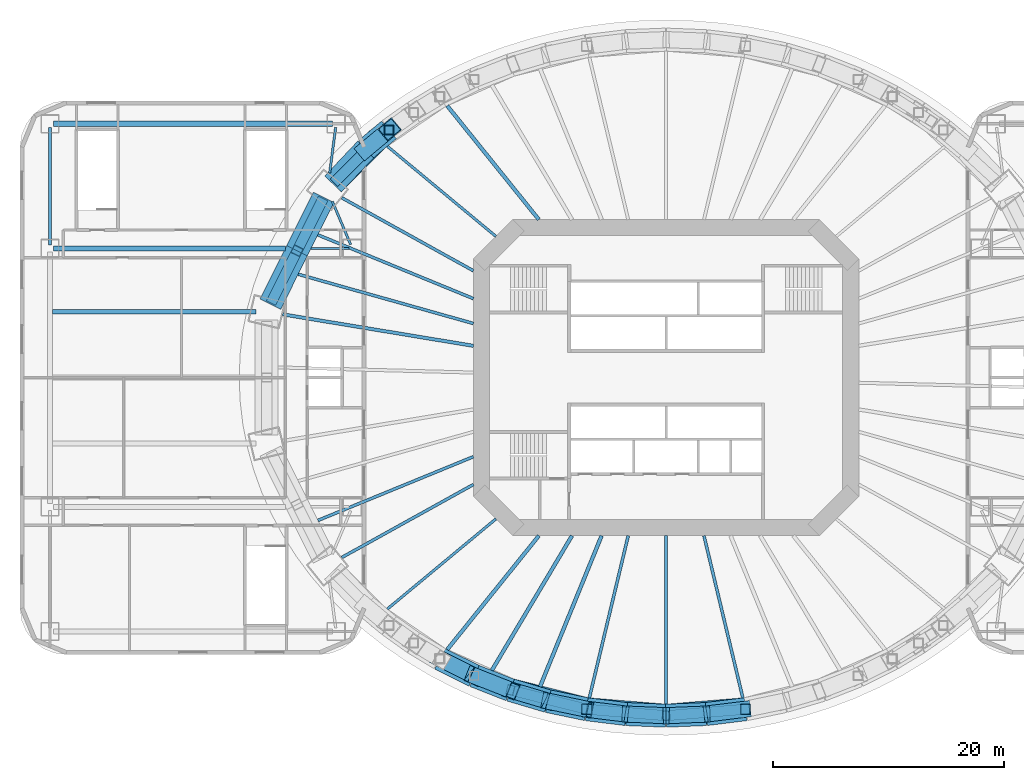
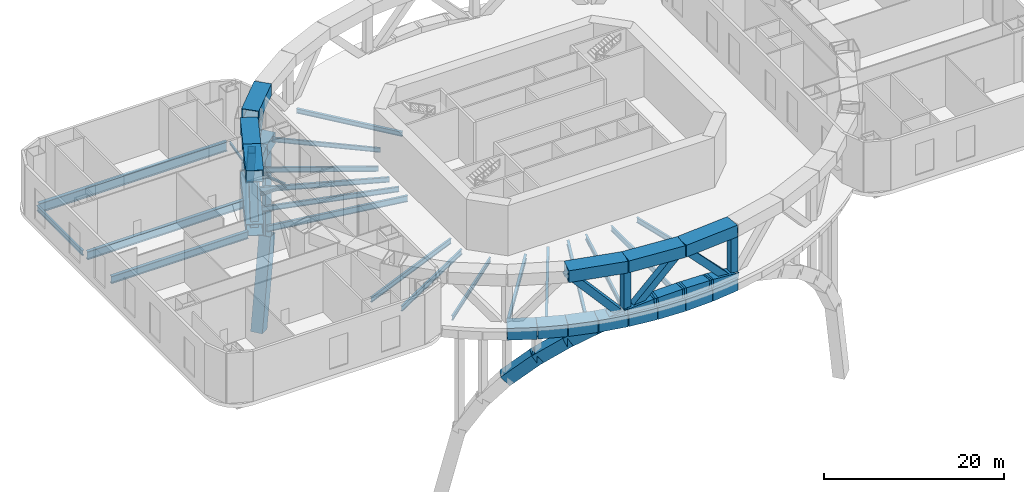
# One storey, part 2 of 13: 39 beams, 18 members.
"""IFC4 building model written with IfcOpenShell, lengths in metres."""

from ifc_helpers import new_model, si_unit, direction, frame, origin, origin_2d, place, context, subcontext, project, spatial, hollow_rectangle, i_section, extrude, material, material_profile, profile_set, type_object, element, save


model = new_model("IFC4")

# Units and contexts
model_context = context("Model", 3, precision=1e-05, world=origin(), true_north=direction((0.0, 1.0)))
body_context = subcontext(model_context, "Body", "Model", "MODEL_VIEW")
ifc_project = project(units=[si_unit("LENGTHUNIT", "METRE"), si_unit("AREAUNIT", "SQUARE_METRE"), si_unit("VOLUMEUNIT", "CUBIC_METRE"), si_unit("PLANEANGLEUNIT", "RADIAN"), si_unit("MASSUNIT", "GRAM", prefix="KILO")], contexts=[model_context])

# Site, building, storey
site_placement = place(None, origin())
site = spatial("IfcSite", under=ifc_project, at=site_placement, CompositionType="ELEMENT")
building_placement = place(site_placement, origin())
building = spatial("IfcBuilding", under=site, at=building_placement, Name="Marenthal Gate Tower", CompositionType="ELEMENT")
storey_placement = place(building_placement, frame((0.0, 0.0, 26.0)))
storey = spatial("IfcBuildingStorey", under=building, at=storey_placement, Name="L03", CompositionType="ELEMENT", Elevation=26.0)

# Beams
ifc_material_1 = material(Name="Steel S460", Category="steel")
ifc_material_profile_1 = material_profile(ifc_material_1, hollow_rectangle(XDim=2.0, YDim=1.60009765625, WallThickness=0.080078125, at=origin_2d()), Name="BOX 1600X2000X80")
ifc_profile_set_1 = profile_set([ifc_material_profile_1], Name="Steel S460")
beam_type_1 = type_object("IfcBeamType", Name="BOX 1600X2000X80 transfer chord", PredefinedType="BEAM", material=ifc_profile_set_1)
beam_1_placement = place(storey_placement, frame((-24.018310546875, 21.47216796875, -1.300048828125), z_axis=(-0.767717124374, -0.640788902013, 0.0), x_axis=(0.640788902013, -0.767717124374, 0.0)))
element("IfcBeam", 1, at=beam_1_placement, inside=storey, type_object=beam_type_1, Name="TR-L03-19", PredefinedType="BEAM", context=body_context, shape_type="SweptSolid", body=[
    extrude(hollow_rectangle(XDim=2.0, YDim=1.60009765625, WallThickness=0.080078125, at=origin_2d()), origin(), (0.0, 0.0, 1.0), 2.581298828125),
])
beam_2_placement = place(storey_placement, frame((-26.0, 19.818115234375, -1.300048828125), z_axis=(-0.687434451688, -0.72624642831, 0.0), x_axis=(0.72624642831, -0.687434451688, 0.0)))
element("IfcBeam", 2, at=beam_2_placement, inside=storey, type_object=beam_type_1, Name="TR-L03-20", PredefinedType="BEAM", context=body_context, shape_type="SweptSolid", body=[
    extrude(hollow_rectangle(XDim=2.0, YDim=1.60009765625, WallThickness=0.080078125, at=origin_2d()), origin(), (0.0, 0.0, 1.0), 4.17041015625),
])
beam_3_placement = place(storey_placement, frame((-24.9609375, 20.71826171875, 6.02001953125), z_axis=(-0.705032585227, -0.70917491056, 0.0), x_axis=(0.70917491056, -0.705032585227, 0.0)))
element("IfcBeam", 3, at=beam_3_placement, inside=storey, type_object=beam_type_1, Name="TR-L03-30", PredefinedType="BEAM", context=body_context, shape_type="SweptSolid", body=[
    extrude(hollow_rectangle(XDim=2.0, YDim=1.60009765625, WallThickness=0.080078125, at=origin_2d()), origin(), (0.0, 0.0, 1.0), 5.540283203125),
])
beam_4_placement = place(storey_placement, frame((6.88671875, -28.737060546875, -1.300048828125), z_axis=(-0.992506789723, -0.122189493634, 0.0), x_axis=(0.122189493634, -0.992506789723, 0.0)))
element("IfcBeam", 4, at=beam_4_placement, inside=storey, type_object=beam_type_1, Name="TR-L03-79", PredefinedType="BEAM", context=body_context, shape_type="SweptSolid", body=[
    extrude(hollow_rectangle(XDim=2.0, YDim=1.60009765625, WallThickness=0.080078125, at=origin_2d()), origin(), (0.0, 0.0, 1.0), 3.45263671875),
])
for number, where, z_axis, x_axis, name in (
    (5, (3.4599609375, -29.158935546875, -1.300048828125), (-0.99916934247, -0.040750767707, 0.0), (0.040750767707, -0.99916934247, 0.0), "TR-L03-80"),
    (6, (0.0, -29.300048828125, -1.300048828125), (-0.99916934247, 0.040750767707, 0.0), (-0.040750767707, -0.99916934247, 0.0), "TR-L03-81"),
):
    element("IfcBeam", number, at=place(storey_placement, frame(where, z_axis=z_axis, x_axis=x_axis)), inside=storey, type_object=beam_type_1, Name=name, PredefinedType="BEAM", context=body_context, shape_type="SweptSolid", body=[
        extrude(hollow_rectangle(XDim=2.0, YDim=1.60009765625, WallThickness=0.080078125, at=origin_2d()), origin(), (0.0, 0.0, 1.0), 3.462890625),
    ])
beam_5_placement = place(storey_placement, frame((-3.4599609375, -29.158935546875, -1.300048828125), z_axis=(-0.992506789723, 0.122189493634, 0.0), x_axis=(-0.122189493634, -0.992506789723, 0.0)))
element("IfcBeam", 7, at=beam_5_placement, inside=storey, type_object=beam_type_1, Name="TR-L03-82", PredefinedType="BEAM", context=body_context, shape_type="SweptSolid", body=[
    extrude(hollow_rectangle(XDim=2.0, YDim=1.60009765625, WallThickness=0.080078125, at=origin_2d()), origin(), (0.0, 0.0, 1.0), 3.45263671875),
])
beam_6_placement = place(storey_placement, frame((-6.88671875, -28.737060546875, -1.300048828125), z_axis=(-0.979058462752, 0.203579288026, 0.0), x_axis=(-0.203579288026, -0.979058462752, 0.0)))
element("IfcBeam", 8, at=beam_6_placement, inside=storey, type_object=beam_type_1, Name="TR-L03-83", PredefinedType="BEAM", context=body_context, shape_type="SweptSolid", body=[
    extrude(hollow_rectangle(XDim=2.0, YDim=1.60009765625, WallThickness=0.080078125, at=origin_2d()), origin(), (0.0, 0.0, 1.0), 3.43212890625),
])
beam_7_placement = place(storey_placement, frame((-10.2470703125, -28.038330078125, -1.300048828125), z_axis=(-0.958612601044, 0.284713682705, 0.0), x_axis=(-0.284713682705, -0.958612601044, 0.0)))
element("IfcBeam", 9, at=beam_7_placement, inside=storey, type_object=beam_type_1, Name="TR-L03-84", PredefinedType="BEAM", context=body_context, shape_type="SweptSolid", body=[
    extrude(hollow_rectangle(XDim=2.0, YDim=1.60009765625, WallThickness=0.080078125, at=origin_2d()), origin(), (0.0, 0.0, 1.0), 3.402587890625),
])
beam_8_placement = place(storey_placement, frame((-13.5087890625, -27.069580078125, -1.300048828125), z_axis=(-0.930854658045, 0.365389662685, 0.0), x_axis=(-0.365389662685, -0.930854658045, 0.0)))
element("IfcBeam", 10, at=beam_8_placement, inside=storey, type_object=beam_type_1, Name="TR-L03-85", PredefinedType="BEAM", context=body_context, shape_type="SweptSolid", body=[
    extrude(hollow_rectangle(XDim=2.0, YDim=1.60009765625, WallThickness=0.080078125, at=origin_2d()), origin(), (0.0, 0.0, 1.0), 3.3642578125),
])
beam_9_placement = place(storey_placement, frame((-16.640380859375, -25.84033203125, -1.300048828125), z_axis=(-0.895308250233, 0.445447120391, 0.0), x_axis=(-0.445447120391, -0.895308250233, 0.0)))
element("IfcBeam", 11, at=beam_9_placement, inside=storey, type_object=beam_type_1, Name="TR-L03-86", PredefinedType="BEAM", context=body_context, shape_type="SweptSolid", body=[
    extrude(hollow_rectangle(XDim=2.0, YDim=1.60009765625, WallThickness=0.080078125, at=origin_2d()), origin(), (0.0, 0.0, 1.0), 3.318603515625),
])
for number, where, z_axis, x_axis, name in (
    (12, (6.88671875, -28.737060546875, 6.02001953125), (-0.996675136239, -0.081478051055, 0.0), (0.081478051055, -0.996675136239, 0.0), "TR-L03-95"),
    (13, (0.0, -29.300048828125, 6.02001953125), (-0.996675136239, 0.081478051055, 0.0), (-0.081478051055, -0.996675136239, 0.0), "TR-L03-96"),
):
    element("IfcBeam", number, at=place(storey_placement, frame(where, z_axis=z_axis, x_axis=x_axis)), inside=storey, type_object=beam_type_1, Name=name, PredefinedType="BEAM", context=body_context, shape_type="SweptSolid", body=[
        extrude(hollow_rectangle(XDim=2.0, YDim=1.60009765625, WallThickness=0.080078125, at=origin_2d()), origin(), (0.0, 0.0, 1.0), 6.90966796875),
    ])
beam_10_placement = place(storey_placement, frame((-6.88671875, -28.737060546875, 6.02001953125), z_axis=(-0.969728903085, 0.244184058696, 0.0), x_axis=(-0.244184058696, -0.969728903085, 0.0)))
element("IfcBeam", 14, at=beam_10_placement, inside=storey, type_object=beam_type_1, Name="TR-L03-97", PredefinedType="BEAM", context=body_context, shape_type="SweptSolid", body=[
    extrude(hollow_rectangle(XDim=2.0, YDim=1.60009765625, WallThickness=0.080078125, at=origin_2d()), origin(), (0.0, 0.0, 1.0), 6.828857421875),
])
beam_11_placement = place(storey_placement, frame((-29.676025390625, 15.626708984375, -1.300048828125), z_axis=(-0.446514857693, -0.894776218872, 0.0), x_axis=(0.894776218872, -0.446514857693, 0.0)))
element("IfcBeam", 15, at=beam_11_placement, inside=storey, type_object=beam_type_1, Name="TR-L03-146", PredefinedType="BEAM", context=body_context, shape_type="SweptSolid", body=[
    extrude(hollow_rectangle(XDim=2.0, YDim=1.60009765625, WallThickness=0.080078125, at=origin_2d()), origin(), (0.0, 0.0, 1.0), 10.34423828125),
])
for number, where, z_axis, x_axis, name in (
    (16, (-29.676025390625, 15.626708984375, 6.02001953125), (-0.446533753251, -0.894766789285, 0.0), (0.894766789285, -0.446533753251, 0.0), "TR-L03-147"),
    (17, (-31.985595703125, 10.998779296875, 6.02001953125), (-0.446495961537, -0.89478564826, 0.0), (0.89478564826, -0.446495961537, 0.0), "TR-L03-148"),
):
    element("IfcBeam", number, at=place(storey_placement, frame(where, z_axis=z_axis, x_axis=x_axis)), inside=storey, type_object=beam_type_1, Name=name, PredefinedType="BEAM", context=body_context, shape_type="SweptSolid", body=[
        extrude(hollow_rectangle(XDim=2.0, YDim=1.60009765625, WallThickness=0.080078125, at=origin_2d()), origin(), (0.0, 0.0, 1.0), 5.172119140625),
    ])
ifc_material_2 = material(Name="Steel S355", Category="steel")
ifc_material_profile_2 = material_profile(ifc_material_2, i_section(OverallWidth=0.419921875, OverallDepth=1.0, WebThickness=0.02001953125, FlangeThickness=0.035888671875, at=origin_2d()), Name="PLATE GIRDER 1000X420X20X36")
ifc_profile_set_2 = profile_set([ifc_material_profile_2], Name="Steel S355")
beam_type_2 = type_object("IfcBeamType", Name="PLATE GIRDER 1000X420X20X36 beam", PredefinedType="BEAM", material=ifc_profile_set_2)
beam_12_placement = place(storey_placement, frame((-35.561279296875, 5.716064453125, -1.0), z_axis=(-1.0, 0.0, 0.0), x_axis=(0.0, -1.0, 0.0)))
element("IfcBeam", 18, at=beam_12_placement, inside=storey, type_object=beam_type_2, Name="BM-L03-125", PredefinedType="BEAM", context=body_context, shape_type="SweptSolid", body=[
    extrude(i_section(OverallWidth=0.419921875, OverallDepth=1.0, WebThickness=0.02001953125, FlangeThickness=0.035888671875, at=origin_2d()), origin(), (0.0, 0.0, 1.0), 17.61376953125),
])
ifc_material_3 = material(Name="Steel S355", Category="steel")
ifc_material_profile_3 = material_profile(ifc_material_3, i_section(OverallWidth=0.429931640625, OverallDepth=1.10009765625, WebThickness=0.02001953125, FlangeThickness=0.0400390625, at=origin_2d()), Name="PLATE GIRDER 1100X430X20X40")
ifc_profile_set_3 = profile_set([ifc_material_profile_3], Name="Steel S355")
beam_type_3 = type_object("IfcBeamType", Name="PLATE GIRDER 1100X430X20X40 beam", PredefinedType="BEAM", material=ifc_profile_set_3)
beam_13_placement = place(storey_placement, frame((-33.002685546875, 11.199951171875, -1.050048828125), z_axis=(-1.0, 0.0, 0.0), x_axis=(0.0, -1.0, 0.0)))
element("IfcBeam", 19, at=beam_13_placement, inside=storey, type_object=beam_type_3, Name="BM-L03-127", PredefinedType="BEAM", context=body_context, shape_type="SweptSolid", body=[
    extrude(i_section(OverallWidth=0.429931640625, OverallDepth=1.10009765625, WebThickness=0.02001953125, FlangeThickness=0.0400390625, at=origin_2d()), origin(), (0.0, 0.0, 1.0), 20.097412109375),
])
ifc_material_4 = material(Name="Steel S355", Category="steel")
ifc_material_profile_4 = material_profile(ifc_material_4, i_section(OverallWidth=0.4599609375, OverallDepth=1.300048828125, WebThickness=0.02490234375, FlangeThickness=0.044921875, at=origin_2d()), Name="PLATE GIRDER 1300X460X25X45")
ifc_profile_set_4 = profile_set([ifc_material_profile_4], Name="Steel S355")
beam_type_4 = type_object("IfcBeamType", Name="PLATE GIRDER 1300X460X25X45 beam", PredefinedType="BEAM", material=ifc_profile_set_4)
beam_14_placement = place(storey_placement, frame((-28.89990234375, 22.0, -1.14990234375), z_axis=(-1.0, 0.0, 0.0), x_axis=(0.0, -1.0, 0.0)))
element("IfcBeam", 20, at=beam_14_placement, inside=storey, type_object=beam_type_4, Name="BM-L03-128", PredefinedType="BEAM", context=body_context, shape_type="SweptSolid", body=[
    extrude(i_section(OverallWidth=0.4599609375, OverallDepth=1.300048828125, WebThickness=0.02490234375, FlangeThickness=0.044921875, at=origin_2d()), origin(), (0.0, 0.0, 1.0), 24.2001953125),
])
ifc_material_5 = material(Name="Steel S355", Category="steel")
ifc_material_profile_5 = material_profile(ifc_material_5, i_section(OverallWidth=0.202880859375, OverallDepth=0.302001953125, WebThickness=0.007568359375, FlangeThickness=0.01318359375, FilletRadius=0.0126953125, at=origin_2d()), Name="W310X60")
ifc_profile_set_5 = profile_set([ifc_material_profile_5], Name="Steel S355")
beam_type_5 = type_object("IfcBeamType", Name="W310X60 beam", PredefinedType="BEAM", material=ifc_profile_set_5)
beam_15_placement = place(storey_placement, frame((-27.5, 11.199951171875, -0.65087890625), z_axis=(-1.0, 0.0, 0.0), x_axis=(0.0, -1.0, 0.0)))
element("IfcBeam", 21, at=beam_15_placement, inside=storey, type_object=beam_type_5, Name="BM-L03-126", PredefinedType="BEAM", context=body_context, shape_type="SweptSolid", body=[
    extrude(i_section(OverallWidth=0.202880859375, OverallDepth=0.302001953125, WebThickness=0.007568359375, FlangeThickness=0.01318359375, FilletRadius=0.0126953125, at=origin_2d()), origin(), (0.0, 0.0, 1.0), 3.267333984375),
])
beam_16_placement = place(storey_placement, frame((-27.34375, 11.53955078125, -0.65087890625), z_axis=(-0.390030578719, 0.920801904681, 0.0), x_axis=(-0.920801904681, -0.390030578719, 0.0)))
element("IfcBeam", 22, at=beam_16_placement, inside=storey, type_object=beam_type_5, Name="BM-L03-129", PredefinedType="BEAM", context=body_context, shape_type="SweptSolid", body=[
    extrude(i_section(OverallWidth=0.202880859375, OverallDepth=0.302001953125, WebThickness=0.007568359375, FlangeThickness=0.01318359375, FilletRadius=0.0126953125, at=origin_2d()), origin(), (0.0, 0.0, 1.0), 4.057373046875),
])
beam_17_placement = place(storey_placement, frame((-29.159423828125, 17.73681640625, -0.65087890625), z_axis=(0.130112868393, 0.991499188844, 0.0), x_axis=(-0.991499188844, 0.130112868393, 0.0)))
element("IfcBeam", 23, at=beam_17_placement, inside=storey, type_object=beam_type_5, Name="BM-L03-130", PredefinedType="BEAM", context=body_context, shape_type="SweptSolid", body=[
    extrude(i_section(OverallWidth=0.202880859375, OverallDepth=0.302001953125, WebThickness=0.007568359375, FlangeThickness=0.01318359375, FilletRadius=0.0126953125, at=origin_2d()), origin(), (0.0, 0.0, 1.0), 3.992919921875),
])
ifc_material_6 = material(Name="Steel S355", Category="steel")
ifc_material_profile_6 = material_profile(ifc_material_6, i_section(OverallWidth=0.22900390625, OverallDepth=0.612060546875, WebThickness=0.011962890625, FlangeThickness=0.01953125, FilletRadius=0.0126953125, at=origin_2d()), Name="W610X125")
ifc_profile_set_6 = profile_set([ifc_material_profile_6], Name="Steel S355")
beam_type_6 = type_object("IfcBeamType", Name="W610X125 beam", PredefinedType="BEAM", material=ifc_profile_set_6)
for number, where, z_axis, x_axis, name in (
    (24, (-24.15869140625, 20.052490234375, -0.805908203125), (0.769474855878, -0.638677106346, 0.0), (0.638677106346, 0.769474855878, 0.0), "BM-L03-25"),
    (25, (-24.15869140625, -20.052490234375, -0.805908203125), (0.769474855878, 0.638677106346, 0.0), (-0.638677106346, 0.769474855878, 0.0), "BM-L03-31"),
):
    element("IfcBeam", number, at=place(storey_placement, frame(where, z_axis=z_axis, x_axis=x_axis)), inside=storey, type_object=beam_type_6, Name=name, PredefinedType="BEAM", context=body_context, shape_type="SweptSolid", body=[
        extrude(i_section(OverallWidth=0.22900390625, OverallDepth=0.612060546875, WebThickness=0.011962890625, FlangeThickness=0.01953125, FilletRadius=0.0126953125, at=origin_2d()), origin(), (0.0, 0.0, 1.0), 12.229736328125),
    ])
ifc_material_7 = material(Name="Steel S355", Category="steel")
ifc_material_profile_7 = material_profile(ifc_material_7, i_section(OverallWidth=0.324951171875, OverallDepth=0.612060546875, WebThickness=0.0126953125, FlangeThickness=0.01904296875, FilletRadius=0.0126953125, at=origin_2d()), Name="W610X155")
ifc_profile_set_7 = profile_set([ifc_material_profile_7], Name="Steel S355")
beam_type_7 = type_object("IfcBeamType", Name="W610X155 beam", PredefinedType="BEAM", material=ifc_profile_set_7)
for number, where, z_axis, x_axis, name in (
    (26, (-18.969482421875, 23.564697265625, -0.805908203125), (0.627057343135, -0.77897309865, 0.0), (0.77897309865, 0.627057343135, 0.0), "BM-L03-06"),
    (27, (-18.969482421875, -23.564697265625, -0.805908203125), (0.627057343135, 0.77897309865, 0.0), (-0.77897309865, 0.627057343135, 0.0), "BM-L03-11"),
):
    element("IfcBeam", number, at=place(storey_placement, frame(where, z_axis=z_axis, x_axis=x_axis)), inside=storey, type_object=beam_type_7, Name=name, PredefinedType="BEAM", context=body_context, shape_type="SweptSolid", body=[
        extrude(i_section(OverallWidth=0.324951171875, OverallDepth=0.612060546875, WebThickness=0.0126953125, FlangeThickness=0.01904296875, FilletRadius=0.0126953125, at=origin_2d()), origin(), (0.0, 0.0, 1.0), 12.663818359375),
    ])
beam_18_placement = place(storey_placement, frame((-15.101806640625, -25.3701171875, -0.805908203125), z_axis=(0.511497449149, 0.859284795347, 0.0), x_axis=(-0.859284795347, 0.511497449149, 0.0)))
element("IfcBeam", 28, at=beam_18_placement, inside=storey, type_object=beam_type_7, Name="BM-L03-32", PredefinedType="BEAM", context=body_context, shape_type="SweptSolid", body=[
    extrude(i_section(OverallWidth=0.324951171875, OverallDepth=0.612060546875, WebThickness=0.0126953125, FlangeThickness=0.01904296875, FilletRadius=0.0126953125, at=origin_2d()), origin(), (0.0, 0.0, 1.0), 13.581298828125),
])
beam_19_placement = place(storey_placement, frame((-10.929931640625, -26.79248046875, -0.805908203125), z_axis=(0.377725731398, 0.925917529719, 0.0), x_axis=(-0.925917529719, 0.377725731398, 0.0)))
element("IfcBeam", 29, at=beam_19_placement, inside=storey, type_object=beam_type_7, Name="BM-L03-33", PredefinedType="BEAM", context=body_context, shape_type="SweptSolid", body=[
    extrude(i_section(OverallWidth=0.324951171875, OverallDepth=0.612060546875, WebThickness=0.0126953125, FlangeThickness=0.01904296875, FilletRadius=0.0126953125, at=origin_2d()), origin(), (0.0, 0.0, 1.0), 14.14013671875),
])
ifc_material_8 = material(Name="Steel S355", Category="steel")
ifc_material_profile_8 = material_profile(ifc_material_8, i_section(OverallWidth=0.25390625, OverallDepth=0.68310546875, WebThickness=0.012451171875, FlangeThickness=0.018798828125, FilletRadius=0.01513671875, at=origin_2d()), Name="W690X140")
ifc_profile_set_8 = profile_set([ifc_material_profile_8], Name="Steel S355")
beam_type_8 = type_object("IfcBeamType", Name="W690X140 beam", PredefinedType="BEAM", material=ifc_profile_set_8)
beam_20_placement = place(storey_placement, frame((-53.39990234375, 11.5, -0.841552734375), z_axis=(0.0, 1.0, 0.0), x_axis=(-1.0, 0.0, 0.0)))
element("IfcBeam", 30, at=beam_20_placement, inside=storey, type_object=beam_type_8, Name="BM-L03-119", PredefinedType="BEAM", context=body_context, shape_type="SweptSolid", body=[
    extrude(i_section(OverallWidth=0.25390625, OverallDepth=0.68310546875, WebThickness=0.012451171875, FlangeThickness=0.018798828125, FilletRadius=0.01513671875, at=origin_2d()), origin(), (0.0, 0.0, 1.0), 10.199951171875),
])
ifc_material_9 = material(Name="Steel S355", Category="steel")
ifc_material_profile_9 = material_profile(ifc_material_9, i_section(OverallWidth=0.257080078125, OverallDepth=0.693115234375, WebThickness=0.014404296875, FlangeThickness=0.023681640625, FilletRadius=0.015380859375, at=origin_2d()), Name="W690X170")
ifc_profile_set_9 = profile_set([ifc_material_profile_9], Name="Steel S355")
beam_type_9 = type_object("IfcBeamType", Name="W690X170 beam", PredefinedType="BEAM", material=ifc_profile_set_9)
for number, where, z_axis, x_axis, name in (
    (31, (-28.1083984375, 15.589111328125, -0.846435546875), (0.874511030904, -0.485005625562, 0.0), (0.485005625562, 0.874511030904, 0.0), "BM-L03-07"),
    (32, (-28.1083984375, -15.589111328125, -0.846435546875), (0.874511030904, 0.485005625562, 0.0), (-0.485005625562, 0.874511030904, 0.0), "BM-L03-10"),
):
    element("IfcBeam", number, at=place(storey_placement, frame(where, z_axis=z_axis, x_axis=x_axis)), inside=storey, type_object=beam_type_9, Name=name, PredefinedType="BEAM", context=body_context, shape_type="SweptSolid", body=[
        extrude(i_section(OverallWidth=0.257080078125, OverallDepth=0.693115234375, WebThickness=0.014404296875, FlangeThickness=0.023681640625, FilletRadius=0.015380859375, at=origin_2d()), origin(), (0.0, 0.0, 1.0), 13.04541015625),
    ])
for number, where, z_axis, x_axis, name in (
    (33, (-6.652099609375, -27.75830078125, -0.846435546875), (0.23303888137, 0.972467418359, 0.0), (-0.972467418359, 0.23303888137, 0.0), "BM-L03-12"),
    (34, (6.652099609375, -27.75830078125, -0.846435546875), (-0.23303888137, 0.972467418359, 0.0), (-0.972467418359, -0.23303888137, 0.0), "BM-L03-13"),
):
    element("IfcBeam", number, at=place(storey_placement, frame(where, z_axis=z_axis, x_axis=x_axis)), inside=storey, type_object=beam_type_9, Name=name, PredefinedType="BEAM", context=body_context, shape_type="SweptSolid", body=[
        extrude(i_section(OverallWidth=0.257080078125, OverallDepth=0.693115234375, WebThickness=0.014404296875, FlangeThickness=0.023681640625, FilletRadius=0.015380859375, at=origin_2d()), origin(), (0.0, 0.0, 1.0), 14.456298828125),
    ])
beam_21_placement = place(storey_placement, frame((-30.18017578125, 12.376953125, -0.846435546875), z_axis=(0.925223376973, -0.379422854746, 0.0), x_axis=(0.379422854746, 0.925223376973, 0.0)))
element("IfcBeam", 35, at=beam_21_placement, inside=storey, type_object=beam_type_9, Name="BM-L03-26", PredefinedType="BEAM", context=body_context, shape_type="SweptSolid", body=[
    extrude(i_section(OverallWidth=0.257080078125, OverallDepth=0.693115234375, WebThickness=0.014404296875, FlangeThickness=0.023681640625, FilletRadius=0.015380859375, at=origin_2d()), origin(), (0.0, 0.0, 1.0), 14.569580078125),
])
beam_22_placement = place(storey_placement, frame((-31.884521484375, 8.961181640625, -0.846435546875), z_axis=(0.962701855146, -0.27056448048, 0.0), x_axis=(0.27056448048, 0.962701855146, 0.0)))
element("IfcBeam", 36, at=beam_22_placement, inside=storey, type_object=beam_type_9, Name="BM-L03-27", PredefinedType="BEAM", context=body_context, shape_type="SweptSolid", body=[
    extrude(i_section(OverallWidth=0.257080078125, OverallDepth=0.693115234375, WebThickness=0.014404296875, FlangeThickness=0.023681640625, FilletRadius=0.015380859375, at=origin_2d()), origin(), (0.0, 0.0, 1.0), 15.77294921875),
])
beam_23_placement = place(storey_placement, frame((-30.18017578125, -12.376953125, -0.846435546875), z_axis=(0.925223376973, 0.379422854746, 0.0), x_axis=(-0.379422854746, 0.925223376973, 0.0)))
element("IfcBeam", 37, at=beam_23_placement, inside=storey, type_object=beam_type_9, Name="BM-L03-30", PredefinedType="BEAM", context=body_context, shape_type="SweptSolid", body=[
    extrude(i_section(OverallWidth=0.257080078125, OverallDepth=0.693115234375, WebThickness=0.014404296875, FlangeThickness=0.023681640625, FilletRadius=0.015380859375, at=origin_2d()), origin(), (0.0, 0.0, 1.0), 14.569580078125),
])
beam_24_placement = place(storey_placement, frame((0.0, -28.29931640625, -0.846435546875), z_axis=(0.0, 1.0, 0.0), x_axis=(-1.0, 0.0, 0.0)))
element("IfcBeam", 38, at=beam_24_placement, inside=storey, type_object=beam_type_9, Name="BM-L03-34", PredefinedType="BEAM", context=body_context, shape_type="SweptSolid", body=[
    extrude(i_section(OverallWidth=0.257080078125, OverallDepth=0.693115234375, WebThickness=0.014404296875, FlangeThickness=0.023681640625, FilletRadius=0.015380859375, at=origin_2d()), origin(), (0.0, 0.0, 1.0), 14.599365234375),
])
ifc_material_10 = material(Name="Steel S355", Category="steel")
ifc_material_profile_10 = material_profile(ifc_material_10, i_section(OverallWidth=0.2919921875, OverallDepth=0.841064453125, WebThickness=0.0146484375, FlangeThickness=0.021728515625, FilletRadius=0.017822265625, at=origin_2d()), Name="W840X193")
ifc_profile_set_10 = profile_set([ifc_material_profile_10], Name="Steel S355")
beam_type_10 = type_object("IfcBeamType", Name="W840X193 beam", PredefinedType="BEAM", material=ifc_profile_set_10)
beam_25_placement = place(storey_placement, frame((-33.23681640625, 5.487548828125, -0.92041015625), z_axis=(0.986641210425, -0.162908323576, 0.0), x_axis=(0.162908323576, 0.986641210425, 0.0)))
element("IfcBeam", 39, at=beam_25_placement, inside=storey, type_object=beam_type_10, Name="BM-L03-08", PredefinedType="BEAM", context=body_context, shape_type="SweptSolid", body=[
    extrude(i_section(OverallWidth=0.2919921875, OverallDepth=0.841064453125, WebThickness=0.0146484375, FlangeThickness=0.021728515625, FilletRadius=0.017822265625, at=origin_2d()), origin(), (0.0, 0.0, 1.0), 16.7607421875),
])

# Members
ifc_material_11 = material(Name="Steel S355", Category="steel")
ifc_material_profile_11 = material_profile(ifc_material_11, hollow_rectangle(XDim=1.39990234375, YDim=1.60009765625, WallThickness=0.080078125, at=origin_2d()), Name="BOX 1600X1400X80")
ifc_profile_set_11 = profile_set([ifc_material_profile_11], Name="Steel S355")
member_type_1 = type_object("IfcMemberType", Name="arch rib BOX 1600X1400X80", PredefinedType="MEMBER", material=ifc_profile_set_11)
member_1_placement = place(storey_placement, frame((-23.96630859375, 21.515625, -14.58203125), z_axis=(-0.173504810862, -0.144823403352, -0.974126409892), x_axis=(0.640800619675, -0.767707343865, 0.0)))
element("IfcMember", 40, at=member_1_placement, inside=storey, type_object=member_type_1, Name="AR-N-L03-48", PredefinedType="MEMBER", context=body_context, shape_type="SweptSolid", body=[
    extrude(hollow_rectangle(XDim=1.39990234375, YDim=1.60009765625, WallThickness=0.080078125, at=origin_2d()), origin(), (0.0, 0.0, 1.0), 11.72119140625),
])
member_2_placement = place(storey_placement, frame((7.1806640625, -28.700927734375, -0.78955078125), z_axis=(-0.979784181158, -0.120596155599, 0.159623073542), x_axis=(0.122162519043, -0.992510110246, 0.0)))
element("IfcMember", 41, at=member_2_placement, inside=storey, type_object=member_type_1, Name="AR-S-L03-108", PredefinedType="MEMBER", context=body_context, shape_type="SweptSolid", body=[
    extrude(hollow_rectangle(XDim=1.39990234375, YDim=1.60009765625, WallThickness=0.080078125, at=origin_2d()), origin(), (0.0, 0.0, 1.0), 4.097412109375),
])
for number, where, z_axis, x_axis, name in (
    (42, (3.75927734375, -29.146728515625, -0.19921875), (-0.997771516968, -0.040693520723, 0.052877568963), (0.040750530603, -0.99916935214, 0.0), "AR-S-L03-109"),
    (43, (0.29931640625, -29.312255859375, 0.015869140625), (-0.997771516968, 0.040693520723, -0.052877568963), (-0.040750530603, -0.99916935214, 0.0), "AR-S-L03-110"),
):
    element("IfcMember", number, at=place(storey_placement, frame(where, z_axis=z_axis, x_axis=x_axis)), inside=storey, type_object=member_type_1, Name=name, PredefinedType="MEMBER", context=body_context, shape_type="SweptSolid", body=[
        extrude(hollow_rectangle(XDim=1.39990234375, YDim=1.60009765625, WallThickness=0.080078125, at=origin_2d()), origin(), (0.0, 0.0, 1.0), 4.067626953125),
    ])
member_3_placement = place(storey_placement, frame((-3.166015625, -29.195068359375, -0.135498046875), z_axis=(-0.979784181158, 0.120596155599, -0.159623073542), x_axis=(-0.122162519043, -0.992510110246, 0.0)))
element("IfcMember", 44, at=member_3_placement, inside=storey, type_object=member_type_1, Name="AR-S-L03-111", PredefinedType="MEMBER", context=body_context, shape_type="SweptSolid", body=[
    extrude(hollow_rectangle(XDim=1.39990234375, YDim=1.60009765625, WallThickness=0.080078125, at=origin_2d()), origin(), (0.0, 0.0, 1.0), 4.097412109375),
])
member_4_placement = place(storey_placement, frame((-6.603759765625, -28.7958984375, -0.660888671875), z_axis=(-0.942929594761, 0.196079632167, -0.269140404201), x_axis=(-0.203591982603, -0.979055823036, 0.0)))
element("IfcMember", 45, at=member_4_placement, inside=storey, type_object=member_type_1, Name="AR-S-L03-112", PredefinedType="MEMBER", context=body_context, shape_type="SweptSolid", body=[
    extrude(hollow_rectangle(XDim=1.39990234375, YDim=1.60009765625, WallThickness=0.080078125, at=origin_2d()), origin(), (0.0, 0.0, 1.0), 4.16357421875),
])
member_5_placement = place(storey_placement, frame((-9.981201171875, -28.1171875, -1.5859375), z_axis=(-0.885621115862, 0.26300159803, -0.382760236404), x_axis=(-0.284680682344, -0.958622401731, 0.0)))
element("IfcMember", 46, at=member_5_placement, inside=storey, type_object=member_type_1, Name="AR-S-L03-113", PredefinedType="MEMBER", context=body_context, shape_type="SweptSolid", body=[
    extrude(hollow_rectangle(XDim=1.39990234375, YDim=1.60009765625, WallThickness=0.080078125, at=origin_2d()), origin(), (0.0, 0.0, 1.0), 4.283203125),
])
member_6_placement = place(storey_placement, frame((-13.26708984375, -27.16455078125, -2.9599609375), z_axis=(-0.805122250972, 0.316099935492, -0.501855548711), x_axis=(-0.365453963974, -0.930829415208, 0.0)))
element("IfcMember", 47, at=member_6_placement, inside=storey, type_object=member_type_1, Name="AR-S-L03-114", PredefinedType="MEMBER", context=body_context, shape_type="SweptSolid", body=[
    extrude(hollow_rectangle(XDim=1.39990234375, YDim=1.60009765625, WallThickness=0.080078125, at=origin_2d()), origin(), (0.0, 0.0, 1.0), 4.48974609375),
])
member_7_placement = place(storey_placement, frame((-16.430908203125, -25.944580078125, -4.87451171875), z_axis=(-0.697924026477, 0.347253139776, -0.626352384989), x_axis=(-0.445459010991, -0.895302334146, 0.0)))
element("IfcMember", 48, at=member_7_placement, inside=storey, type_object=member_type_1, Name="AR-S-L03-115", PredefinedType="MEMBER", context=body_context, shape_type="SweptSolid", body=[
    extrude(hollow_rectangle(XDim=1.39990234375, YDim=1.60009765625, WallThickness=0.080078125, at=origin_2d()), origin(), (0.0, 0.0, 1.0), 4.857421875),
])
ifc_material_12 = material(Name="Steel S355", Category="steel")
ifc_material_profile_12 = material_profile(ifc_material_12, hollow_rectangle(XDim=0.800048828125, YDim=0.800048828125, WallThickness=0.044921875, at=origin_2d()), Name="BOX 800X800X45")
ifc_profile_set_12 = profile_set([ifc_material_profile_12], Name="Steel S355")
member_type_2 = type_object("IfcMemberType", Name="arch strut BOX 800X800X45", PredefinedType="POST", material=ifc_profile_set_12)
member_8_placement = place(storey_placement, frame((-24.018310546875, 21.47216796875, -15.024169921875), z_axis=(0.0, 0.0, 1.0), x_axis=(1.0, 0.0, 0.0)))
element("IfcMember", 49, at=member_8_placement, inside=storey, type_object=member_type_2, Name="AS-N-L03-60", PredefinedType="POST", context=body_context, shape_type="SweptSolid", body=[
    extrude(hollow_rectangle(XDim=0.800048828125, YDim=0.800048828125, WallThickness=0.044921875, at=origin_2d()), origin(), (0.0, 0.0, 1.0), 13.874267578125),
])
ifc_material_13 = material(Name="Steel S355", Category="steel")
ifc_material_profile_13 = material_profile(ifc_material_13, hollow_rectangle(XDim=0.89990234375, YDim=0.89990234375, WallThickness=0.050048828125, at=origin_2d()), Name="BOX 900X900X50")
ifc_profile_set_13 = profile_set([ifc_material_profile_13], Name="Steel S355")
member_type_3 = type_object("IfcMemberType", Name="transfer truss diagonal BOX 900X900X50", PredefinedType="BRACE", material=ifc_profile_set_13)
member_9_placement = place(storey_placement, frame((-24.9609375, 20.71826171875, 6.02001953125), z_axis=(-0.400817829564, -0.4012024125, -0.823639297088), x_axis=(0.7074457701, -0.706767629683, 0.0)))
element("IfcMember", 50, at=member_9_placement, inside=storey, type_object=member_type_3, Name="TR-L03-70", PredefinedType="BRACE", context=body_context, shape_type="SweptSolid", body=[
    extrude(hollow_rectangle(XDim=0.89990234375, YDim=0.89990234375, WallThickness=0.050048828125, at=origin_2d()), origin(), (0.0, 0.0, 1.0), 8.887451171875),
])
for number, where, z_axis, x_axis, name in (
    (51, (6.88671875, -28.737060546875, -1.300048828125), (-0.684146666491, -0.055928892971, 0.727196876822), (0.081478051055, -0.996675136239, 0.0), "TR-L03-135"),
    (52, (0.0, -29.300048828125, 6.02001953125), (-0.684146666491, 0.055928892971, -0.727196876822), (-0.081478051055, -0.996675136239, 0.0), "TR-L03-136"),
):
    element("IfcMember", number, at=place(storey_placement, frame(where, z_axis=z_axis, x_axis=x_axis)), inside=storey, type_object=member_type_3, Name=name, PredefinedType="BRACE", context=body_context, shape_type="SweptSolid", body=[
        extrude(hollow_rectangle(XDim=0.89990234375, YDim=0.89990234375, WallThickness=0.050048828125, at=origin_2d()), origin(), (0.0, 0.0, 1.0), 10.066162109375),
    ])
member_10_placement = place(storey_placement, frame((-6.88671875, -28.737060546875, -1.300048828125), z_axis=(-0.661493970766, 0.166568493597, 0.73121861545), x_axis=(-0.244184058696, -0.969728903085, 0.0)))
element("IfcMember", 53, at=member_10_placement, inside=storey, type_object=member_type_3, Name="TR-L03-137", PredefinedType="BRACE", context=body_context, shape_type="SweptSolid", body=[
    extrude(hollow_rectangle(XDim=0.89990234375, YDim=0.89990234375, WallThickness=0.050048828125, at=origin_2d()), origin(), (0.0, 0.0, 1.0), 10.0107421875),
])
for number, where, z_axis, x_axis, name in (
    (54, (-29.8994140625, 15.17919921875, -1.300048828125), (-0.240233422862, -0.481394604992, 0.842939580768), (0.894771811668, -0.446523689231, 0.0), "TR-L03-149"),
    (55, (-31.985595703125, 10.998779296875, 6.02001953125), (-0.240233422862, -0.481394604992, -0.842939580768), (0.894771811668, -0.446523689231, 0.0), "TR-L03-150"),
):
    element("IfcMember", number, at=place(storey_placement, frame(where, z_axis=z_axis, x_axis=x_axis)), inside=storey, type_object=member_type_3, Name=name, PredefinedType="BRACE", context=body_context, shape_type="SweptSolid", body=[
        extrude(hollow_rectangle(XDim=0.89990234375, YDim=0.89990234375, WallThickness=0.050048828125, at=origin_2d()), origin(), (0.0, 0.0, 1.0), 8.68408203125),
    ])
ifc_material_14 = material(Name="Steel S355", Category="steel")
ifc_material_profile_14 = material_profile(ifc_material_14, hollow_rectangle(XDim=0.89990234375, YDim=0.89990234375, WallThickness=0.050048828125, at=origin_2d()), Name="BOX 900X900X50")
ifc_profile_set_14 = profile_set([ifc_material_profile_14], Name="Steel S355")
member_type_4 = type_object("IfcMemberType", Name="transfer truss post BOX 900X900X50", PredefinedType="POST", material=ifc_profile_set_14)
for number, where, z_axis, x_axis, name in (
    (56, (6.88671875, -28.737060546875, -1.300048828125), (0.0, 0.0, 1.0), (1.0, 0.0, 0.0), "TR-L03-124"),
    (57, (-6.88671875, -28.737060546875, -1.300048828125), (0.0, 0.0, 1.0), (1.0, 0.0, 0.0), "TR-L03-125"),
):
    element("IfcMember", number, at=place(storey_placement, frame(where, z_axis=z_axis, x_axis=x_axis)), inside=storey, type_object=member_type_4, Name=name, PredefinedType="POST", context=body_context, shape_type="SweptSolid", body=[
        extrude(hollow_rectangle(XDim=0.89990234375, YDim=0.89990234375, WallThickness=0.050048828125, at=origin_2d()), origin(), (0.0, 0.0, 1.0), 7.320068359375),
    ])

save(model, "model.ifc")
